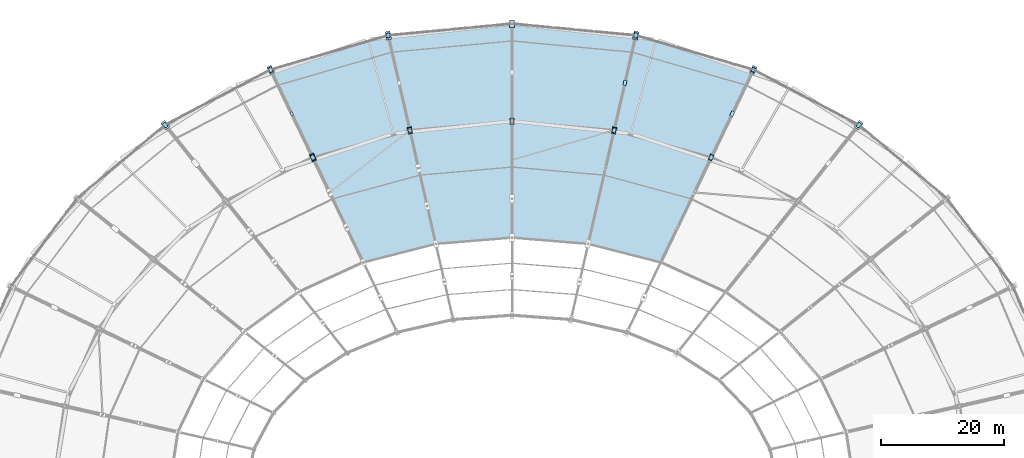
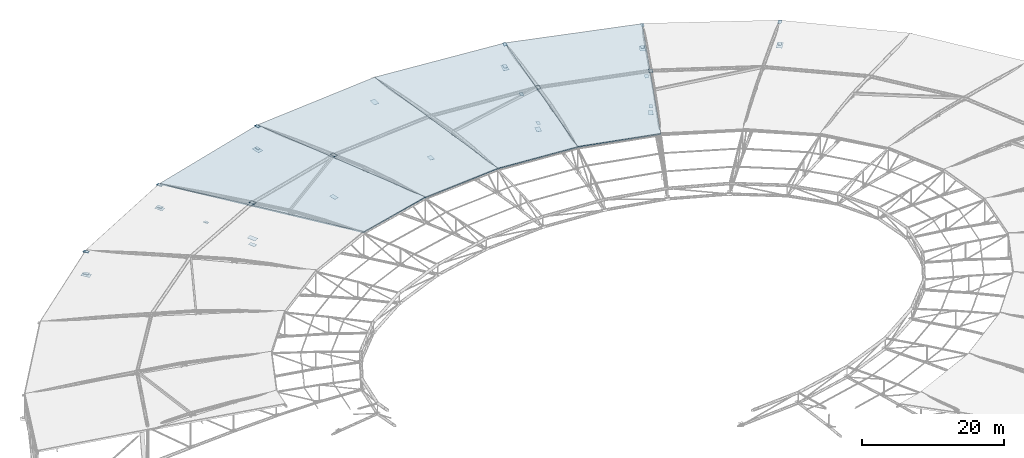
# One storey, part 95 of 108: 40 plates, 4 slabs.
"""IFC4 building model written with IfcOpenShell, lengths in metres."""

from ifc_helpers import new_model, si_unit, direction, frame, origin, origin_2d, place, context, subcontext, project, spatial, polyline, rectangle, outline, extrude, material, layer, layer_set, type_object, element, save


model = new_model("IFC4")

# Units and contexts
model_context = context("Model", 3, precision=1e-05, world=origin(), true_north=direction((0.0, 1.0)))
body_context = subcontext(model_context, "Body", "Model", "MODEL_VIEW")
ifc_project = project(units=[si_unit("LENGTHUNIT", "METRE"), si_unit("AREAUNIT", "SQUARE_METRE"), si_unit("VOLUMEUNIT", "CUBIC_METRE"), si_unit("PLANEANGLEUNIT", "RADIAN"), si_unit("MASSUNIT", "GRAM", prefix="KILO")], contexts=[model_context])

# Site, building, storey
site_placement = place(None, origin())
site = spatial("IfcSite", under=ifc_project, at=site_placement, CompositionType="ELEMENT")
building_placement = place(site_placement, origin())
building = spatial("IfcBuilding", under=site, at=building_placement, Name="Zevraka Park Crest Stadium", CompositionType="ELEMENT")
storey_placement = place(building_placement, frame((0.0, 0.0, 29.39990234375)))
storey = spatial("IfcBuildingStorey", under=building, at=storey_placement, Name="RF", CompositionType="ELEMENT", Elevation=29.39990234375)

# Plates
ifc_material_1 = material(Name="Steel S355", Category="steel")
ifc_layer_1 = layer(ifc_material_1, 0.035888671875)
ifc_layer_set_1 = layer_set([ifc_layer_1], Name="Steel S355")
plate_type_1 = type_object("IfcPlateType", Name="BP01", PredefinedType="SHEET", material=ifc_layer_set_1)
for number, where, z_axis, x_axis, name in (
    (1, (168.301025390625, 150.8720703125, -0.03369140625), (0.0, 0.0, 1.0), (0.623470308046, 0.781847027868, 0.0), "TN1 Roof Truss Heel Base Plate BP01 T05"),
    (2, (132.093994140625, 165.412109375, -0.03369140625), (0.0, 0.0, 1.0), (0.222569549971, 0.974916814618, 0.0), "TN1 Roof Truss Heel Base Plate BP01 T07"),
    (3, (91.906005859375, 165.412109375, -0.03369140625), (0.0, 0.0, 1.0), (-0.222569549971, 0.974916814618, 0.0), "TN1 Roof Truss Heel Base Plate BP01 T09"),
    (4, (55.698974609375, 150.8720703125, -0.03369140625), (0.0, 0.0, 1.0), (-0.623470308046, 0.781847027868, 0.0), "TN1 Roof Truss Heel Base Plate BP01 T11"),
):
    element("IfcPlate", number, at=place(storey_placement, frame(where, z_axis=z_axis, x_axis=x_axis)), inside=storey, type_object=plate_type_1, Name=name, PredefinedType="SHEET", context=body_context, shape_type="SweptSolid", body=[
        extrude(rectangle(XDim=1.35009765625, YDim=0.85009765625, at=origin_2d()), origin(), (0.0, 0.0, 1.0), 0.035888671875),
    ])
ifc_material_2 = material(Name="Steel S355", Category="steel")
ifc_layer_2 = layer(ifc_material_2, 0.034912109375)
ifc_layer_set_2 = layer_set([ifc_layer_2], Name="Steel S355")
plate_type_2 = type_object("IfcPlateType", Name="BP02", PredefinedType="SHEET", material=ifc_layer_set_2)
for number, where, z_axis, x_axis, name in (
    (5, (151.179931640625, 159.843017578125, -0.03271484375), (0.0, 0.0, 1.0), (0.43381634559, 0.90100131981, 0.0), "TN1 Roof Truss Heel Base Plate BP02 T06"),
    (6, (112.0, 167.300048828125, -0.03271484375), (0.0, 0.0, 1.0), (0.0, 1.0, 0.0), "TN1 Roof Truss Heel Base Plate BP02 T08"),
    (7, (72.820068359375, 159.843017578125, -0.03271484375), (0.0, 0.0, 1.0), (-0.43381634559, 0.90100131981, 0.0), "TN1 Roof Truss Heel Base Plate BP02 T10"),
):
    element("IfcPlate", number, at=place(storey_placement, frame(where, z_axis=z_axis, x_axis=x_axis)), inside=storey, type_object=plate_type_2, Name=name, PredefinedType="SHEET", context=body_context, shape_type="SweptSolid", body=[
        extrude(rectangle(XDim=1.25, YDim=0.800048828125, at=origin_2d()), origin(), (0.0, 0.0, 1.0), 0.034912109375),
    ])
ifc_material_3 = material(Name="Steel S355", Category="steel")
ifc_layer_3 = layer(ifc_material_3, 0.031982421875)
ifc_layer_set_3 = layer_set([ifc_layer_3], Name="Steel S355")
plate_type_3 = type_object("IfcPlateType", Name="BP03", PredefinedType="SHEET", material=ifc_layer_set_3)
for number, where, z_axis, x_axis, name in (
    (8, (128.577880859375, 150.008056640625, -0.02978515625), (0.0, 0.0, 1.0), (0.222569549971, 0.974916814618, 0.0), "TN2 Roof Truss Heel Base Plate BP03 T07"),
    (9, (95.422119140625, 150.008056640625, -0.02978515625), (0.0, 0.0, 1.0), (-0.222569549971, 0.974916814618, 0.0), "TN2 Roof Truss Heel Base Plate BP03 T09"),
):
    element("IfcPlate", number, at=place(storey_placement, frame(where, z_axis=z_axis, x_axis=x_axis)), inside=storey, type_object=plate_type_3, Name=name, PredefinedType="SHEET", context=body_context, shape_type="SweptSolid", body=[
        extrude(rectangle(XDim=1.14990234375, YDim=0.719970703125, at=origin_2d()), origin(), (0.0, 0.0, 1.0), 0.031982421875),
    ])
ifc_material_4 = material(Name="Steel S355", Category="steel")
ifc_layer_4 = layer(ifc_material_4, 0.030029296875)
ifc_layer_set_4 = layer_set([ifc_layer_4], Name="Steel S355")
plate_type_4 = type_object("IfcPlateType", Name="BP04", PredefinedType="SHEET", material=ifc_layer_set_4)
for number, where, z_axis, x_axis, name in (
    (10, (144.323974609375, 145.60791015625, -0.02783203125), (0.0, 0.0, 1.0), (0.43381634559, 0.90100131981, 0.0), "TN2 Roof Truss Heel Base Plate BP04 T06"),
    (11, (112.0, 151.5, -0.02783203125), (0.0, 0.0, 1.0), (0.0, 1.0, 0.0), "TN2 Roof Truss Heel Base Plate BP04 T08"),
    (12, (79.676025390625, 145.60791015625, -0.02783203125), (0.0, 0.0, 1.0), (-0.43381634559, 0.90100131981, 0.0), "TN2 Roof Truss Heel Base Plate BP04 T10"),
):
    element("IfcPlate", number, at=place(storey_placement, frame(where, z_axis=z_axis, x_axis=x_axis)), inside=storey, type_object=plate_type_4, Name=name, PredefinedType="SHEET", context=body_context, shape_type="SweptSolid", body=[
        extrude(rectangle(XDim=1.050048828125, YDim=0.659912109375, at=origin_2d()), origin(), (0.0, 0.0, 1.0), 0.030029296875),
    ])
ifc_material_5 = material(Name="Steel S355", Category="steel")
ifc_layer_5 = layer(ifc_material_5, 0.02490234375)
ifc_layer_set_5 = layer_set([ifc_layer_5], Name="Steel S355")
plate_type_5 = type_object("IfcPlateType", Name="EC01", PredefinedType="SHEET", material=ifc_layer_set_5)
for number, where, z_axis, x_axis, name in (
    (13, (144.323974609375, 145.60791015625, 7.1982421875), (0.0, 0.0, 1.0), (0.43381634559, 0.90100131981, 0.0), "Hollow Strut Top Closure Cap Plate EC01 T06-2"),
    (14, (128.577880859375, 150.008056640625, 7.1982421875), (0.0, 0.0, 1.0), (0.222569549971, 0.974916814618, 0.0), "Hollow Strut Top Closure Cap Plate EC01 T07-2"),
    (15, (132.093994140625, 165.412109375, 0.237548828125), (0.0, 0.0, 1.0), (0.222569549971, 0.974916814618, 0.0), "TN5 Hollow Chord End Cap Plate EC01 T07-HEEL-B"),
    (16, (132.093994140625, 165.412109375, 3.987548828125), (0.0, 0.0, 1.0), (0.222569549971, 0.974916814618, 0.0), "TN5 Hollow Chord End Cap Plate EC01 T07-HEEL-T"),
    (17, (95.422119140625, 150.008056640625, 7.1982421875), (0.0, 0.0, 1.0), (-0.222569549971, 0.974916814618, 0.0), "Hollow Strut Top Closure Cap Plate EC01 T09-2"),
    (18, (79.676025390625, 145.60791015625, 7.1982421875), (0.0, 0.0, 1.0), (-0.43381634559, 0.90100131981, 0.0), "Hollow Strut Top Closure Cap Plate EC01 T10-2"),
    (19, (72.820068359375, 159.843017578125, 0.237548828125), (0.0, 0.0, 1.0), (-0.43381634559, 0.90100131981, 0.0), "TN5 Hollow Chord End Cap Plate EC01 T10-HEEL-B"),
    (20, (72.820068359375, 159.843017578125, 3.987548828125), (0.0, 0.0, 1.0), (-0.43381634559, 0.90100131981, 0.0), "TN5 Hollow Chord End Cap Plate EC01 T10-HEEL-T"),
):
    element("IfcPlate", number, at=place(storey_placement, frame(where, z_axis=z_axis, x_axis=x_axis)), inside=storey, type_object=plate_type_5, Name=name, PredefinedType="SHEET", context=body_context, shape_type="SweptSolid", body=[
        extrude(rectangle(XDim=0.840087890625, YDim=0.5400390625, at=origin_2d()), origin(), (0.0, 0.0, 1.0), 0.02490234375),
    ])
ifc_material_6 = material(Name="Steel S355", Category="steel")
ifc_layer_6 = layer(ifc_material_6, 0.02490234375)
ifc_layer_set_6 = layer_set([ifc_layer_6], Name="Steel S355")
plate_type_6 = type_object("IfcPlateType", Name="EC02", PredefinedType="SHEET", material=ifc_layer_set_6)
for number, where, z_axis, x_axis, name in (
    (21, (168.301025390625, 150.8720703125, 3.998046875), (0.0, 0.0, 1.0), (0.623470308046, 0.781847027868, 0.0), "Hollow Strut Top Closure Cap Plate EC02 T05-0"),
    (22, (168.301025390625, 150.8720703125, 0.237548828125), (0.0, 0.0, 1.0), (0.623470308046, 0.781847027868, 0.0), "TN5 Hollow Chord End Cap Plate EC02 T05-HEEL-B"),
    (23, (168.301025390625, 150.8720703125, 3.987548828125), (0.0, 0.0, 1.0), (0.623470308046, 0.781847027868, 0.0), "TN5 Hollow Chord End Cap Plate EC02 T05-HEEL-T"),
    (24, (151.179931640625, 159.843017578125, 3.998046875), (0.0, 0.0, 1.0), (0.43381634559, 0.90100131981, 0.0), "Hollow Strut Top Closure Cap Plate EC02 T06-0"),
    (25, (132.093994140625, 165.412109375, 3.998046875), (0.0, 0.0, 1.0), (0.222569549971, 0.974916814618, 0.0), "Hollow Strut Top Closure Cap Plate EC02 T07-0"),
    (26, (91.906005859375, 165.412109375, 3.998046875), (0.0, 0.0, 1.0), (-0.222569549971, 0.974916814618, 0.0), "Hollow Strut Top Closure Cap Plate EC02 T09-0"),
    (27, (72.820068359375, 159.843017578125, 3.998046875), (0.0, 0.0, 1.0), (-0.43381634559, 0.90100131981, 0.0), "Hollow Strut Top Closure Cap Plate EC02 T10-0"),
    (28, (55.698974609375, 150.8720703125, 3.998046875), (0.0, 0.0, 1.0), (-0.623470308046, 0.781847027868, 0.0), "Hollow Strut Top Closure Cap Plate EC02 T11-0"),
    (29, (55.698974609375, 150.8720703125, 0.237548828125), (0.0, 0.0, 1.0), (-0.623470308046, 0.781847027868, 0.0), "TN5 Hollow Chord End Cap Plate EC02 T11-HEEL-B"),
    (30, (55.698974609375, 150.8720703125, 3.987548828125), (0.0, 0.0, 1.0), (-0.623470308046, 0.781847027868, 0.0), "TN5 Hollow Chord End Cap Plate EC02 T11-HEEL-T"),
):
    element("IfcPlate", number, at=place(storey_placement, frame(where, z_axis=z_axis, x_axis=x_axis)), inside=storey, type_object=plate_type_6, Name=name, PredefinedType="SHEET", context=body_context, shape_type="SweptSolid", body=[
        extrude(rectangle(XDim=0.780029296875, YDim=0.5, at=origin_2d()), origin(), (0.0, 0.0, 1.0), 0.02490234375),
    ])
ifc_material_7 = material(Name="Steel S355", Category="steel")
ifc_layer_7 = layer(ifc_material_7, 0.02197265625)
ifc_layer_set_7 = layer_set([ifc_layer_7], Name="Steel S355")
plate_type_7 = type_object("IfcPlateType", Name="EC03", PredefinedType="SHEET", material=ifc_layer_set_7)
for number, where, z_axis, x_axis, name in (
    (31, (151.179931640625, 159.843017578125, 0.239013671875), (0.0, 0.0, 1.0), (0.43381634559, 0.90100131981, 0.0), "TN5 Hollow Chord End Cap Plate EC03 T06-HEEL-B"),
    (32, (151.179931640625, 159.843017578125, 3.989013671875), (0.0, 0.0, 1.0), (0.43381634559, 0.90100131981, 0.0), "TN5 Hollow Chord End Cap Plate EC03 T06-HEEL-T"),
    (33, (91.906005859375, 165.412109375, 0.239013671875), (0.0, 0.0, 1.0), (-0.222569549971, 0.974916814618, 0.0), "TN5 Hollow Chord End Cap Plate EC03 T09-HEEL-B"),
    (34, (91.906005859375, 165.412109375, 3.989013671875), (0.0, 0.0, 1.0), (-0.222569549971, 0.974916814618, 0.0), "TN5 Hollow Chord End Cap Plate EC03 T09-HEEL-T"),
):
    element("IfcPlate", number, at=place(storey_placement, frame(where, z_axis=z_axis, x_axis=x_axis)), inside=storey, type_object=plate_type_7, Name=name, PredefinedType="SHEET", context=body_context, shape_type="SweptSolid", body=[
        extrude(rectangle(XDim=0.719970703125, YDim=0.4599609375, at=origin_2d()), origin(), (0.0, 0.0, 1.0), 0.02197265625),
    ])
ifc_material_8 = material(Name="Steel S355", Category="steel")
ifc_layer_8 = layer(ifc_material_8, 0.02490234375)
ifc_layer_set_8 = layer_set([ifc_layer_8], Name="Steel S355")
plate_type_8 = type_object("IfcPlateType", Name="GP06", PredefinedType="USERDEFINED", material=ifc_layer_set_8)
plate_1_placement = place(storey_placement, frame((147.751953125, 152.72509765625, 0.717529296875), z_axis=(0.0, 0.0, 1.0), x_axis=(0.43381634559, 0.90100131981, 0.0)))
element("IfcPlate", 35, at=plate_1_placement, inside=storey, type_object=plate_type_8, Name="TN1 Truss Node Gusset Plate GP06 T06-1", ObjectType="GUSSET PLATE", PredefinedType="USERDEFINED", context=body_context, shape_type="SweptSolid", body=[
    extrude(rectangle(XDim=0.89990234375, YDim=0.5400390625, at=origin_2d()), origin(), (0.0, 0.0, 1.0), 0.02490234375),
])
ifc_material_9 = material(Name="Steel S355", Category="steel")
ifc_layer_9 = layer(ifc_material_9, 0.02392578125)
ifc_layer_set_9 = layer_set([ifc_layer_9], Name="Steel S355")
plate_type_9 = type_object("IfcPlateType", Name="GP07", PredefinedType="USERDEFINED", material=ifc_layer_set_9)
for number, where, z_axis, x_axis, name in (
    (36, (144.323974609375, 145.60791015625, 1.068115234375), (0.0, 0.0, 1.0), (0.43381634559, 0.90100131981, 0.0), "TN2 Truss Node Gusset Plate GP07 T06-2"),
    (37, (130.3359375, 157.7099609375, 0.718017578125), (0.0, 0.0, 1.0), (0.222569549971, 0.974916814618, 0.0), "TN1 Truss Node Gusset Plate GP07 T07-1"),
):
    element("IfcPlate", number, at=place(storey_placement, frame(where, z_axis=z_axis, x_axis=x_axis)), inside=storey, type_object=plate_type_9, Name=name, ObjectType="GUSSET PLATE", PredefinedType="USERDEFINED", context=body_context, shape_type="SweptSolid", body=[
        extrude(rectangle(XDim=0.840087890625, YDim=0.5, at=origin_2d()), origin(), (0.0, 0.0, 1.0), 0.02392578125),
    ])
ifc_material_10 = material(Name="Steel S355", Category="steel")
ifc_layer_10 = layer(ifc_material_10, 0.02197265625)
ifc_layer_set_10 = layer_set([ifc_layer_10], Name="Steel S355")
plate_type_10 = type_object("IfcPlateType", Name="GP08", PredefinedType="USERDEFINED", material=ifc_layer_set_10)
plate_2_placement = place(storey_placement, frame((128.577880859375, 150.008056640625, 1.069091796875), z_axis=(0.0, 0.0, 1.0), x_axis=(0.222569549971, 0.974916814618, 0.0)))
element("IfcPlate", 38, at=plate_2_placement, inside=storey, type_object=plate_type_10, Name="TN2 Truss Node Gusset Plate GP08 T07-2", ObjectType="GUSSET PLATE", PredefinedType="USERDEFINED", context=body_context, shape_type="SweptSolid", body=[
    extrude(rectangle(XDim=0.780029296875, YDim=0.47998046875, at=origin_2d()), origin(), (0.0, 0.0, 1.0), 0.02197265625),
])
ifc_material_11 = material(Name="Steel S355", Category="steel")
ifc_layer_11 = layer(ifc_material_11, 0.02001953125)
ifc_layer_set_11 = layer_set([ifc_layer_11], Name="Steel S355")
plate_type_11 = type_object("IfcPlateType", Name="GP10", PredefinedType="USERDEFINED", material=ifc_layer_set_11)
plate_3_placement = place(storey_placement, frame((76.248046875, 152.72509765625, 0.719970703125), z_axis=(0.0, 0.0, 1.0), x_axis=(-0.43381634559, 0.90100131981, 0.0)))
element("IfcPlate", 39, at=plate_3_placement, inside=storey, type_object=plate_type_11, Name="TN1 Truss Node Gusset Plate GP10 T10-1", ObjectType="GUSSET PLATE", PredefinedType="USERDEFINED", context=body_context, shape_type="SweptSolid", body=[
    extrude(rectangle(XDim=0.659912109375, YDim=0.39990234375, at=origin_2d()), origin(), (0.0, 0.0, 1.0), 0.02001953125),
])
ifc_material_12 = material(Name="Steel S355", Category="steel")
ifc_layer_12 = layer(ifc_material_12, 0.034912109375)
ifc_layer_set_12 = layer_set([ifc_layer_12], Name="Steel S355")
plate_type_12 = type_object("IfcPlateType", Name="GP11", PredefinedType="USERDEFINED", material=ifc_layer_set_12)
plate_4_placement = place(storey_placement, frame((79.676025390625, 145.60791015625, 1.0625), z_axis=(0.0, 0.0, 1.0), x_axis=(-0.43381634559, 0.90100131981, 0.0)))
element("IfcPlate", 40, at=plate_4_placement, inside=storey, type_object=plate_type_12, Name="TN2 Truss Node Gusset Plate GP11 T10-2", ObjectType="GUSSET PLATE", PredefinedType="USERDEFINED", context=body_context, shape_type="SweptSolid", body=[
    extrude(rectangle(XDim=1.320068359375, YDim=0.800048828125, at=origin_2d()), origin(), (0.0, 0.0, 1.0), 0.034912109375),
])

# Slabs
ifc_material_13 = material(Name="Concrete C35/45", Category="concrete")
ifc_layer_13 = layer(ifc_material_13, 0.179931640625)
ifc_layer_set_13 = layer_set([ifc_layer_13], Name="Concrete C35/45")
slab_type = type_object("IfcSlabType", Name="RS01", PredefinedType="ROOF", material=ifc_layer_set_13)
slab_1_placement = place(storey_placement, frame((151.179931640625, 159.843017578125, 4.239990234375), z_axis=(0.043398259759, 0.148725371122, 0.987925784173), x_axis=(-0.959968018352, 0.280109628072, 1.551768e-06)))
element("IfcSlab", 41, at=slab_1_placement, inside=storey, type_object=slab_type, Name="Canopy Arched Roof Deck Slab RS01 OUTER-06", PredefinedType="ROOF", context=body_context, shape_type="SweptSolid", body=[
    extrude(outline(polyline([(0.0, 0.0), (19.881845832189512, 8.881784197001252e-16), (17.818523575519016, 35.062130843250785), (5.6958748048157695, 34.6480070270648), (0.0, 0.0)])), origin(), (0.0, 0.0, -1.0), 0.179931640625),
])
slab_2_placement = place(storey_placement, frame((132.093994140625, 165.412109375, 4.239990234375), z_axis=(0.014474152486, 0.154070025382, 0.987953908939), x_axis=(-0.995615222216, 0.093543194774, -1.534332e-06)))
element("IfcSlab", 42, at=slab_2_placement, inside=storey, type_object=slab_type, Name="Canopy Arched Roof Deck Slab RS01 OUTER-07", PredefinedType="ROOF", context=body_context, shape_type="SweptSolid", body=[
    extrude(outline(polyline([(0.0, 0.0), (20.18249032951968, 0.0), (16.936537735548065, 34.96903492543122), (4.523483052420621, 34.82356688290143), (0.0, 0.0)])), origin(), (0.0, 0.0, -1.0), 0.179931640625),
])
slab_3_placement = place(storey_placement, frame((112.0, 167.300048828125, 4.239990234375), z_axis=(-0.014474152486, 0.154070025382, 0.987953908939), x_axis=(-0.995615222216, -0.093543194774, 1.534332e-06)))
element("IfcSlab", 43, at=slab_3_placement, inside=storey, type_object=slab_type, Name="Canopy Arched Roof Deck Slab RS01 OUTER-08", PredefinedType="ROOF", context=body_context, shape_type="SweptSolid", body=[
    extrude(outline(polyline([(0.0, 0.0), (20.18249032951968, 0.0), (15.659007277099057, 34.82356688290144), (3.245952593971615, 34.969034925431224), (0.0, 0.0)])), origin(), (0.0, 0.0, -1.0), 0.179931640625),
])
slab_4_placement = place(storey_placement, frame((91.906005859375, 165.412109375, 4.239990234375), z_axis=(-0.043398259759, 0.148725371122, 0.987925784173), x_axis=(-0.959968018352, -0.280109628072, -1.551768e-06)))
element("IfcSlab", 44, at=slab_4_placement, inside=storey, type_object=slab_type, Name="Canopy Arched Roof Deck Slab RS01 OUTER-09", PredefinedType="ROOF", context=body_context, shape_type="SweptSolid", body=[
    extrude(outline(polyline([(0.0, 0.0), (19.881845832189512, -8.881784197001252e-16), (14.185971027373741, 34.6480070270648), (2.063322256670496, 35.062130843250785), (0.0, 0.0)])), origin(), (0.0, 0.0, -1.0), 0.179931640625),
])

save(model, "model.ifc")
